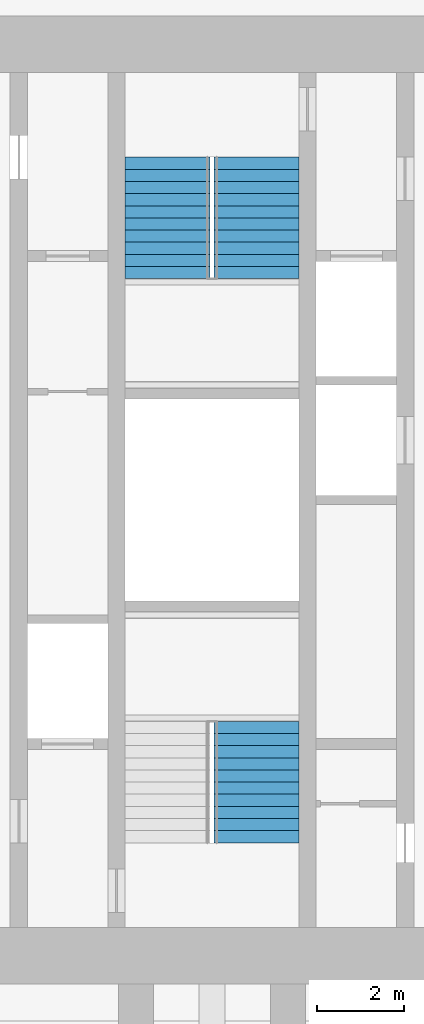
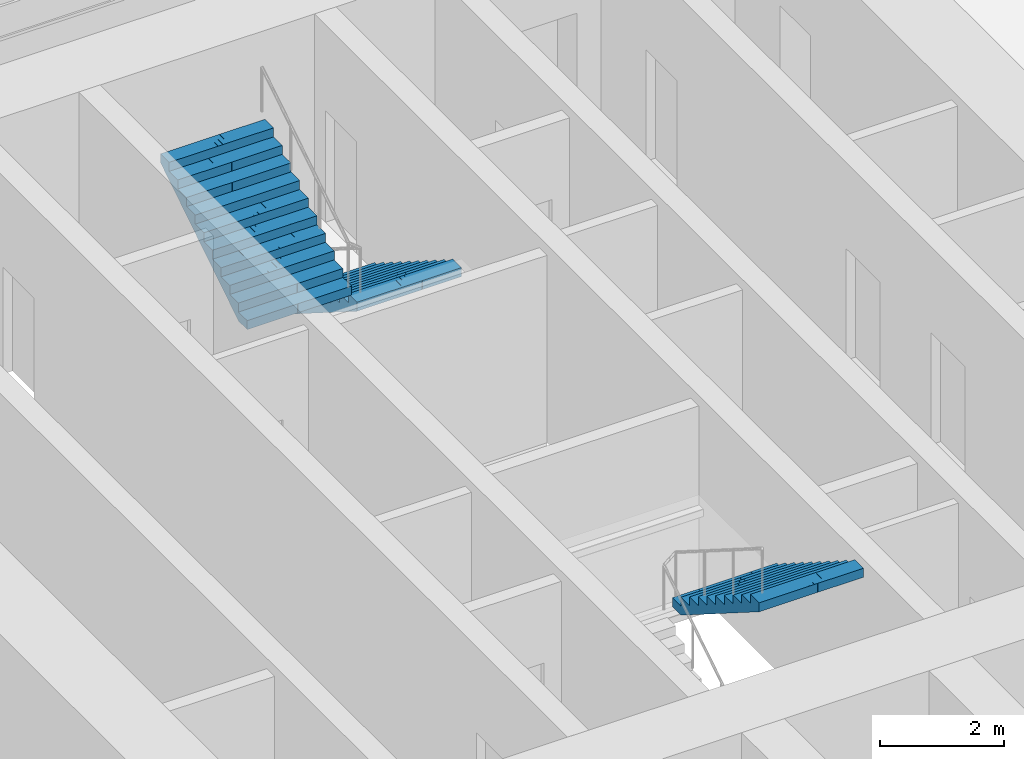
# One storey, part 14 of 15: 3 stair flights, 2 elements without a shape of their own.
"""IFC4 building model written with IfcOpenShell, lengths in metres."""

from ifc_helpers import new_model, si_unit, direction, frame, origin, place, context, subcontext, project, spatial, polyline, outline, extrude, material, type_object, element, aggregate, save


model = new_model("IFC4")

# Units and contexts
model_context = context("Model", 3, precision=1e-05, world=origin(), true_north=direction((0.0, 1.0)))
body_context = subcontext(model_context, "Body", "Model", "MODEL_VIEW")
ifc_project = project(units=[si_unit("LENGTHUNIT", "METRE"), si_unit("AREAUNIT", "SQUARE_METRE"), si_unit("VOLUMEUNIT", "CUBIC_METRE"), si_unit("PLANEANGLEUNIT", "RADIAN"), si_unit("MASSUNIT", "GRAM", prefix="KILO")], contexts=[model_context])

# Site, building, storey
site_placement = place(None, origin())
site = spatial("IfcSite", under=ifc_project, at=site_placement, CompositionType="ELEMENT")
building_placement = place(site_placement, origin())
building = spatial("IfcBuilding", under=site, at=building_placement, Name="Mizan Broadcast Tower", CompositionType="ELEMENT")
storey_placement = place(building_placement, frame((0.0, 0.0, 302.39990234375)))
storey = spatial("IfcBuildingStorey", under=building, at=storey_placement, Name="L72", CompositionType="ELEMENT", Elevation=302.39990234375)

# Stair, stair flight
ifc_material_1 = material(Name="Concrete C40/50", Category="concrete")
stair_type = type_object("IfcStairType", Name="EXIT STAIR", PredefinedType="HALF_TURN_STAIR", material=ifc_material_1)
stair_1_placement = place(storey_placement, origin())
stair_1 = element("IfcStair", 1, at=stair_1_placement, inside=storey, type_object=stair_type, Name="Stair A L72", PredefinedType="HALF_TURN_STAIR")
ifc_material_2 = material(Name="Concrete C40/50", Category="concrete")
stair_flight_type = type_object("IfcStairFlightType", Name="EXIT STAIR FLIGHT", PredefinedType="STRAIGHT", material=ifc_material_2)
stair_flight_1_placement = place(storey_placement, frame((1.02490234375, -5.10009765625, 1.9501953125), z_axis=(0.0, 0.0, 1.0), x_axis=(0.0, -1.0, 0.0)))
stair_flight_1 = element("IfcStairFlight", 2, at=stair_flight_1_placement, type_object=stair_flight_type, Name="A flight 2", NumberOfRisers=11, NumberOfTreads=10, PredefinedType="STRAIGHT", RiserHeight=0.177272727, TreadLength=0.28, context=body_context, shape_type="SweptSolid", body=[
    extrude(outline(polyline([(0.0, 0.0), (0.0, 0.17724609375), (0.280029296875, 0.17724609375), (0.280029296875, 0.3544921875), (0.56005859375, 0.3544921875), (0.56005859375, 0.53173828125), (0.840087890625, 0.53173828125), (0.840087890625, 0.708984375), (1.1201171875, 0.708984375), (1.1201171875, 0.886474609375), (1.39990234375, 0.886474609375), (1.39990234375, 1.063720703125), (1.679931640625, 1.063720703125), (1.679931640625, 1.240966796875), (1.9599609375, 1.240966796875), (1.9599609375, 1.418212890625), (2.239990234375, 1.418212890625), (2.239990234375, 1.595458984375), (2.52001953125, 1.595458984375), (2.52001953125, 1.772705078125), (2.800048828125, 1.772705078125), (2.800048828125, 1.949951171875), (2.800048828125, 1.59521484375), (0.2802734375, 0.0), (0.0, 0.0)])), frame((0.0, 0.97509765625, 0.0), z_axis=(0.0, -1.0, 0.0), x_axis=(1.0, 0.0, 0.0)), (0.0, 0.0, 1.0), 0.4873046875),
    extrude(outline(polyline([(0.0, 0.0), (0.0, 0.17724609375), (0.280029296875, 0.17724609375), (0.280029296875, 0.3544921875), (0.56005859375, 0.3544921875), (0.56005859375, 0.53173828125), (0.840087890625, 0.53173828125), (0.840087890625, 0.708984375), (1.1201171875, 0.708984375), (1.1201171875, 0.886474609375), (1.39990234375, 0.886474609375), (1.39990234375, 1.063720703125), (1.679931640625, 1.063720703125), (1.679931640625, 1.240966796875), (1.9599609375, 1.240966796875), (1.9599609375, 1.418212890625), (2.239990234375, 1.418212890625), (2.239990234375, 1.595458984375), (2.52001953125, 1.595458984375), (2.52001953125, 1.772705078125), (2.800048828125, 1.772705078125), (2.800048828125, 1.949951171875), (2.800048828125, 1.59521484375), (0.2802734375, 0.0), (0.0, 0.0)])), frame((0.0, 0.4873046875, 0.0), z_axis=(0.0, -1.0, 0.0), x_axis=(1.0, 0.0, 0.0)), (0.0, 0.0, 1.0), 0.2431640625),
    extrude(outline(polyline([(0.0, 0.0), (0.0, 0.17724609375), (0.280029296875, 0.17724609375), (0.280029296875, 0.3544921875), (0.56005859375, 0.3544921875), (0.56005859375, 0.53173828125), (0.840087890625, 0.53173828125), (0.840087890625, 0.708984375), (1.1201171875, 0.708984375), (1.1201171875, 0.886474609375), (1.39990234375, 0.886474609375), (1.39990234375, 1.063720703125), (1.679931640625, 1.063720703125), (1.679931640625, 1.240966796875), (1.9599609375, 1.240966796875), (1.9599609375, 1.418212890625), (2.239990234375, 1.418212890625), (2.239990234375, 1.595458984375), (2.52001953125, 1.595458984375), (2.52001953125, 1.772705078125), (2.800048828125, 1.772705078125), (2.800048828125, 1.949951171875), (2.800048828125, 1.59521484375), (0.2802734375, 0.0), (0.0, 0.0)])), frame((0.0, 0.24365234375, 0.0), z_axis=(0.0, -1.0, 0.0), x_axis=(1.0, 0.0, 0.0)), (0.0, 0.0, 1.0), 0.121337890625),
    extrude(outline(polyline([(0.0, 0.0), (0.0, 0.17724609375), (0.280029296875, 0.17724609375), (0.280029296875, 0.3544921875), (0.56005859375, 0.3544921875), (0.56005859375, 0.53173828125), (0.840087890625, 0.53173828125), (0.840087890625, 0.708984375), (1.1201171875, 0.708984375), (1.1201171875, 0.886474609375), (1.39990234375, 0.886474609375), (1.39990234375, 1.063720703125), (1.679931640625, 1.063720703125), (1.679931640625, 1.240966796875), (1.9599609375, 1.240966796875), (1.9599609375, 1.418212890625), (2.239990234375, 1.418212890625), (2.239990234375, 1.595458984375), (2.52001953125, 1.595458984375), (2.52001953125, 1.772705078125), (2.800048828125, 1.772705078125), (2.800048828125, 1.949951171875), (2.800048828125, 1.59521484375), (0.2802734375, 0.0), (0.0, 0.0)])), frame((0.0, 0.121826171875, 0.0), z_axis=(0.0, -1.0, 0.0), x_axis=(1.0, 0.0, 0.0)), (0.0, 0.0, 1.0), 0.060546875),
    extrude(outline(polyline([(0.0, 0.0), (0.0, 0.17724609375), (0.280029296875, 0.17724609375), (0.280029296875, 0.3544921875), (0.56005859375, 0.3544921875), (0.56005859375, 0.53173828125), (0.840087890625, 0.53173828125), (0.840087890625, 0.708984375), (1.1201171875, 0.708984375), (1.1201171875, 0.886474609375), (1.39990234375, 0.886474609375), (1.39990234375, 1.063720703125), (1.679931640625, 1.063720703125), (1.679931640625, 1.240966796875), (1.9599609375, 1.240966796875), (1.9599609375, 1.418212890625), (2.239990234375, 1.418212890625), (2.239990234375, 1.595458984375), (2.52001953125, 1.595458984375), (2.52001953125, 1.772705078125), (2.800048828125, 1.772705078125), (2.800048828125, 1.949951171875), (2.800048828125, 1.59521484375), (0.2802734375, 0.0), (0.0, 0.0)])), frame((0.0, 0.060791015625, 0.0), z_axis=(0.0, -1.0, 0.0), x_axis=(1.0, 0.0, 0.0)), (0.0, 0.0, 1.0), 0.030029296875),
    extrude(outline(polyline([(0.0, 0.0), (0.0, 0.17724609375), (0.280029296875, 0.17724609375), (0.280029296875, 0.3544921875), (0.56005859375, 0.3544921875), (0.56005859375, 0.53173828125), (0.840087890625, 0.53173828125), (0.840087890625, 0.708984375), (1.1201171875, 0.708984375), (1.1201171875, 0.886474609375), (1.39990234375, 0.886474609375), (1.39990234375, 1.063720703125), (1.679931640625, 1.063720703125), (1.679931640625, 1.240966796875), (1.9599609375, 1.240966796875), (1.9599609375, 1.418212890625), (2.239990234375, 1.418212890625), (2.239990234375, 1.595458984375), (2.52001953125, 1.595458984375), (2.52001953125, 1.772705078125), (2.800048828125, 1.772705078125), (2.800048828125, 1.949951171875), (2.800048828125, 1.59521484375), (0.2802734375, 0.0), (0.0, 0.0)])), frame((0.0, 0.0302734375, 0.0), z_axis=(0.0, -1.0, 0.0), x_axis=(1.0, 0.0, 0.0)), (0.0, 0.0, 1.0), 0.060302734375),
    extrude(outline(polyline([(0.0, 0.0), (0.0, 0.17724609375), (0.280029296875, 0.17724609375), (0.280029296875, 0.3544921875), (0.56005859375, 0.3544921875), (0.56005859375, 0.53173828125), (0.840087890625, 0.53173828125), (0.840087890625, 0.708984375), (1.1201171875, 0.708984375), (1.1201171875, 0.886474609375), (1.39990234375, 0.886474609375), (1.39990234375, 1.063720703125), (1.679931640625, 1.063720703125), (1.679931640625, 1.240966796875), (1.9599609375, 1.240966796875), (1.9599609375, 1.418212890625), (2.239990234375, 1.418212890625), (2.239990234375, 1.595458984375), (2.52001953125, 1.595458984375), (2.52001953125, 1.772705078125), (2.800048828125, 1.772705078125), (2.800048828125, 1.949951171875), (2.800048828125, 1.59521484375), (0.2802734375, 0.0), (0.0, 0.0)])), frame((0.0, -0.030517578125, 0.0), z_axis=(0.0, -1.0, 0.0), x_axis=(1.0, 0.0, 0.0)), (0.0, 0.0, 1.0), 0.030029296875),
    extrude(outline(polyline([(0.0, 0.0), (0.0, 0.17724609375), (0.280029296875, 0.17724609375), (0.280029296875, 0.3544921875), (0.56005859375, 0.3544921875), (0.56005859375, 0.53173828125), (0.840087890625, 0.53173828125), (0.840087890625, 0.708984375), (1.1201171875, 0.708984375), (1.1201171875, 0.886474609375), (1.39990234375, 0.886474609375), (1.39990234375, 1.063720703125), (1.679931640625, 1.063720703125), (1.679931640625, 1.240966796875), (1.9599609375, 1.240966796875), (1.9599609375, 1.418212890625), (2.239990234375, 1.418212890625), (2.239990234375, 1.595458984375), (2.52001953125, 1.595458984375), (2.52001953125, 1.772705078125), (2.800048828125, 1.772705078125), (2.800048828125, 1.949951171875), (2.800048828125, 1.59521484375), (0.2802734375, 0.0), (0.0, 0.0)])), frame((0.0, -0.06103515625, 0.0), z_axis=(0.0, -1.0, 0.0), x_axis=(1.0, 0.0, 0.0)), (0.0, 0.0, 1.0), 0.060546875),
    extrude(outline(polyline([(0.0, 0.0), (0.0, 0.17724609375), (0.280029296875, 0.17724609375), (0.280029296875, 0.3544921875), (0.56005859375, 0.3544921875), (0.56005859375, 0.53173828125), (0.840087890625, 0.53173828125), (0.840087890625, 0.708984375), (1.1201171875, 0.708984375), (1.1201171875, 0.886474609375), (1.39990234375, 0.886474609375), (1.39990234375, 1.063720703125), (1.679931640625, 1.063720703125), (1.679931640625, 1.240966796875), (1.9599609375, 1.240966796875), (1.9599609375, 1.418212890625), (2.239990234375, 1.418212890625), (2.239990234375, 1.595458984375), (2.52001953125, 1.595458984375), (2.52001953125, 1.772705078125), (2.800048828125, 1.772705078125), (2.800048828125, 1.949951171875), (2.800048828125, 1.59521484375), (0.2802734375, 0.0), (0.0, 0.0)])), frame((0.0, -0.1220703125, 0.0), z_axis=(0.0, -1.0, 0.0), x_axis=(1.0, 0.0, 0.0)), (0.0, 0.0, 1.0), 0.121337890625),
    extrude(outline(polyline([(0.0, 0.0), (0.0, 0.17724609375), (0.280029296875, 0.17724609375), (0.280029296875, 0.3544921875), (0.56005859375, 0.3544921875), (0.56005859375, 0.53173828125), (0.840087890625, 0.53173828125), (0.840087890625, 0.708984375), (1.1201171875, 0.708984375), (1.1201171875, 0.886474609375), (1.39990234375, 0.886474609375), (1.39990234375, 1.063720703125), (1.679931640625, 1.063720703125), (1.679931640625, 1.240966796875), (1.9599609375, 1.240966796875), (1.9599609375, 1.418212890625), (2.239990234375, 1.418212890625), (2.239990234375, 1.595458984375), (2.52001953125, 1.595458984375), (2.52001953125, 1.772705078125), (2.800048828125, 1.772705078125), (2.800048828125, 1.949951171875), (2.800048828125, 1.59521484375), (0.2802734375, 0.0), (0.0, 0.0)])), frame((0.0, -0.243896484375, 0.0), z_axis=(0.0, -1.0, 0.0), x_axis=(1.0, 0.0, 0.0)), (0.0, 0.0, 1.0), 0.2431640625),
    extrude(outline(polyline([(0.0, 0.0), (0.0, 0.17724609375), (0.280029296875, 0.17724609375), (0.280029296875, 0.3544921875), (0.56005859375, 0.3544921875), (0.56005859375, 0.53173828125), (0.840087890625, 0.53173828125), (0.840087890625, 0.708984375), (1.1201171875, 0.708984375), (1.1201171875, 0.886474609375), (1.39990234375, 0.886474609375), (1.39990234375, 1.063720703125), (1.679931640625, 1.063720703125), (1.679931640625, 1.240966796875), (1.9599609375, 1.240966796875), (1.9599609375, 1.418212890625), (2.239990234375, 1.418212890625), (2.239990234375, 1.595458984375), (2.52001953125, 1.595458984375), (2.52001953125, 1.772705078125), (2.800048828125, 1.772705078125), (2.800048828125, 1.949951171875), (2.800048828125, 1.59521484375), (0.2802734375, 0.0), (0.0, 0.0)])), frame((0.0, -0.487548828125, 0.0), z_axis=(0.0, -1.0, 0.0), x_axis=(1.0, 0.0, 0.0)), (0.0, 0.0, 1.0), 0.4873046875),
])
aggregate(stair_1, [stair_flight_1])

# Stair, stair flights
stair_2_placement = place(storey_placement, origin())
stair_2 = element("IfcStair", 3, at=stair_2_placement, inside=storey, type_object=stair_type, Name="Stair B L72", PredefinedType="HALF_TURN_STAIR")
stair_flight_2_placement = place(storey_placement, frame((1.02490234375, 7.89990234375, 0.0), z_axis=(0.0, 0.0, 1.0), x_axis=(0.0, -1.0, 0.0)))
stair_flight_2 = element("IfcStairFlight", 4, at=stair_flight_2_placement, type_object=stair_flight_type, Name="B flight 1", NumberOfRisers=11, NumberOfTreads=10, PredefinedType="STRAIGHT", RiserHeight=0.177272727, TreadLength=0.28, context=body_context, shape_type="SweptSolid", body=[
    extrude(outline(polyline([(0.0, 0.0), (0.0, 0.17724609375), (0.280029296875, 0.17724609375), (0.280029296875, 0.3544921875), (0.56005859375, 0.3544921875), (0.56005859375, 0.53173828125), (0.840087890625, 0.53173828125), (0.840087890625, 0.708984375), (1.1201171875, 0.708984375), (1.1201171875, 0.886474609375), (1.39990234375, 0.886474609375), (1.39990234375, 1.063720703125), (1.679931640625, 1.063720703125), (1.679931640625, 1.240966796875), (1.9599609375, 1.240966796875), (1.9599609375, 1.418212890625), (2.239990234375, 1.418212890625), (2.239990234375, 1.595458984375), (2.52001953125, 1.595458984375), (2.52001953125, 1.772705078125), (2.800048828125, 1.772705078125), (2.800048828125, 1.949951171875), (2.800048828125, 1.59521484375), (0.2802734375, 0.0), (0.0, 0.0)])), frame((0.0, 0.97509765625, 0.0), z_axis=(0.0, -1.0, 0.0), x_axis=(1.0, 0.0, 0.0)), (0.0, 0.0, 1.0), 0.4873046875),
    extrude(outline(polyline([(0.0, 0.0), (0.0, 0.17724609375), (0.280029296875, 0.17724609375), (0.280029296875, 0.3544921875), (0.56005859375, 0.3544921875), (0.56005859375, 0.53173828125), (0.840087890625, 0.53173828125), (0.840087890625, 0.708984375), (1.1201171875, 0.708984375), (1.1201171875, 0.886474609375), (1.39990234375, 0.886474609375), (1.39990234375, 1.063720703125), (1.679931640625, 1.063720703125), (1.679931640625, 1.240966796875), (1.9599609375, 1.240966796875), (1.9599609375, 1.418212890625), (2.239990234375, 1.418212890625), (2.239990234375, 1.595458984375), (2.52001953125, 1.595458984375), (2.52001953125, 1.772705078125), (2.800048828125, 1.772705078125), (2.800048828125, 1.949951171875), (2.800048828125, 1.59521484375), (0.2802734375, 0.0), (0.0, 0.0)])), frame((0.0, 0.4873046875, 0.0), z_axis=(0.0, -1.0, 0.0), x_axis=(1.0, 0.0, 0.0)), (0.0, 0.0, 1.0), 0.2431640625),
    extrude(outline(polyline([(0.0, 0.0), (0.0, 0.17724609375), (0.280029296875, 0.17724609375), (0.280029296875, 0.3544921875), (0.56005859375, 0.3544921875), (0.56005859375, 0.53173828125), (0.840087890625, 0.53173828125), (0.840087890625, 0.708984375), (1.1201171875, 0.708984375), (1.1201171875, 0.886474609375), (1.39990234375, 0.886474609375), (1.39990234375, 1.063720703125), (1.679931640625, 1.063720703125), (1.679931640625, 1.240966796875), (1.9599609375, 1.240966796875), (1.9599609375, 1.418212890625), (2.239990234375, 1.418212890625), (2.239990234375, 1.595458984375), (2.52001953125, 1.595458984375), (2.52001953125, 1.772705078125), (2.800048828125, 1.772705078125), (2.800048828125, 1.949951171875), (2.800048828125, 1.59521484375), (0.2802734375, 0.0), (0.0, 0.0)])), frame((0.0, 0.24365234375, 0.0), z_axis=(0.0, -1.0, 0.0), x_axis=(1.0, 0.0, 0.0)), (0.0, 0.0, 1.0), 0.121337890625),
    extrude(outline(polyline([(0.0, 0.0), (0.0, 0.17724609375), (0.280029296875, 0.17724609375), (0.280029296875, 0.3544921875), (0.56005859375, 0.3544921875), (0.56005859375, 0.53173828125), (0.840087890625, 0.53173828125), (0.840087890625, 0.708984375), (1.1201171875, 0.708984375), (1.1201171875, 0.886474609375), (1.39990234375, 0.886474609375), (1.39990234375, 1.063720703125), (1.679931640625, 1.063720703125), (1.679931640625, 1.240966796875), (1.9599609375, 1.240966796875), (1.9599609375, 1.418212890625), (2.239990234375, 1.418212890625), (2.239990234375, 1.595458984375), (2.52001953125, 1.595458984375), (2.52001953125, 1.772705078125), (2.800048828125, 1.772705078125), (2.800048828125, 1.949951171875), (2.800048828125, 1.59521484375), (0.2802734375, 0.0), (0.0, 0.0)])), frame((0.0, 0.121826171875, 0.0), z_axis=(0.0, -1.0, 0.0), x_axis=(1.0, 0.0, 0.0)), (0.0, 0.0, 1.0), 0.060546875),
    extrude(outline(polyline([(0.0, 0.0), (0.0, 0.17724609375), (0.280029296875, 0.17724609375), (0.280029296875, 0.3544921875), (0.56005859375, 0.3544921875), (0.56005859375, 0.53173828125), (0.840087890625, 0.53173828125), (0.840087890625, 0.708984375), (1.1201171875, 0.708984375), (1.1201171875, 0.886474609375), (1.39990234375, 0.886474609375), (1.39990234375, 1.063720703125), (1.679931640625, 1.063720703125), (1.679931640625, 1.240966796875), (1.9599609375, 1.240966796875), (1.9599609375, 1.418212890625), (2.239990234375, 1.418212890625), (2.239990234375, 1.595458984375), (2.52001953125, 1.595458984375), (2.52001953125, 1.772705078125), (2.800048828125, 1.772705078125), (2.800048828125, 1.949951171875), (2.800048828125, 1.59521484375), (0.2802734375, 0.0), (0.0, 0.0)])), frame((0.0, 0.060791015625, 0.0), z_axis=(0.0, -1.0, 0.0), x_axis=(1.0, 0.0, 0.0)), (0.0, 0.0, 1.0), 0.030029296875),
    extrude(outline(polyline([(0.0, 0.0), (0.0, 0.17724609375), (0.280029296875, 0.17724609375), (0.280029296875, 0.3544921875), (0.56005859375, 0.3544921875), (0.56005859375, 0.53173828125), (0.840087890625, 0.53173828125), (0.840087890625, 0.708984375), (1.1201171875, 0.708984375), (1.1201171875, 0.886474609375), (1.39990234375, 0.886474609375), (1.39990234375, 1.063720703125), (1.679931640625, 1.063720703125), (1.679931640625, 1.240966796875), (1.9599609375, 1.240966796875), (1.9599609375, 1.418212890625), (2.239990234375, 1.418212890625), (2.239990234375, 1.595458984375), (2.52001953125, 1.595458984375), (2.52001953125, 1.772705078125), (2.800048828125, 1.772705078125), (2.800048828125, 1.949951171875), (2.800048828125, 1.59521484375), (0.2802734375, 0.0), (0.0, 0.0)])), frame((0.0, 0.0302734375, 0.0), z_axis=(0.0, -1.0, 0.0), x_axis=(1.0, 0.0, 0.0)), (0.0, 0.0, 1.0), 0.060302734375),
    extrude(outline(polyline([(0.0, 0.0), (0.0, 0.17724609375), (0.280029296875, 0.17724609375), (0.280029296875, 0.3544921875), (0.56005859375, 0.3544921875), (0.56005859375, 0.53173828125), (0.840087890625, 0.53173828125), (0.840087890625, 0.708984375), (1.1201171875, 0.708984375), (1.1201171875, 0.886474609375), (1.39990234375, 0.886474609375), (1.39990234375, 1.063720703125), (1.679931640625, 1.063720703125), (1.679931640625, 1.240966796875), (1.9599609375, 1.240966796875), (1.9599609375, 1.418212890625), (2.239990234375, 1.418212890625), (2.239990234375, 1.595458984375), (2.52001953125, 1.595458984375), (2.52001953125, 1.772705078125), (2.800048828125, 1.772705078125), (2.800048828125, 1.949951171875), (2.800048828125, 1.59521484375), (0.2802734375, 0.0), (0.0, 0.0)])), frame((0.0, -0.030517578125, 0.0), z_axis=(0.0, -1.0, 0.0), x_axis=(1.0, 0.0, 0.0)), (0.0, 0.0, 1.0), 0.030029296875),
    extrude(outline(polyline([(0.0, 0.0), (0.0, 0.17724609375), (0.280029296875, 0.17724609375), (0.280029296875, 0.3544921875), (0.56005859375, 0.3544921875), (0.56005859375, 0.53173828125), (0.840087890625, 0.53173828125), (0.840087890625, 0.708984375), (1.1201171875, 0.708984375), (1.1201171875, 0.886474609375), (1.39990234375, 0.886474609375), (1.39990234375, 1.063720703125), (1.679931640625, 1.063720703125), (1.679931640625, 1.240966796875), (1.9599609375, 1.240966796875), (1.9599609375, 1.418212890625), (2.239990234375, 1.418212890625), (2.239990234375, 1.595458984375), (2.52001953125, 1.595458984375), (2.52001953125, 1.772705078125), (2.800048828125, 1.772705078125), (2.800048828125, 1.949951171875), (2.800048828125, 1.59521484375), (0.2802734375, 0.0), (0.0, 0.0)])), frame((0.0, -0.06103515625, 0.0), z_axis=(0.0, -1.0, 0.0), x_axis=(1.0, 0.0, 0.0)), (0.0, 0.0, 1.0), 0.060546875),
    extrude(outline(polyline([(0.0, 0.0), (0.0, 0.17724609375), (0.280029296875, 0.17724609375), (0.280029296875, 0.3544921875), (0.56005859375, 0.3544921875), (0.56005859375, 0.53173828125), (0.840087890625, 0.53173828125), (0.840087890625, 0.708984375), (1.1201171875, 0.708984375), (1.1201171875, 0.886474609375), (1.39990234375, 0.886474609375), (1.39990234375, 1.063720703125), (1.679931640625, 1.063720703125), (1.679931640625, 1.240966796875), (1.9599609375, 1.240966796875), (1.9599609375, 1.418212890625), (2.239990234375, 1.418212890625), (2.239990234375, 1.595458984375), (2.52001953125, 1.595458984375), (2.52001953125, 1.772705078125), (2.800048828125, 1.772705078125), (2.800048828125, 1.949951171875), (2.800048828125, 1.59521484375), (0.2802734375, 0.0), (0.0, 0.0)])), frame((0.0, -0.1220703125, 0.0), z_axis=(0.0, -1.0, 0.0), x_axis=(1.0, 0.0, 0.0)), (0.0, 0.0, 1.0), 0.121337890625),
    extrude(outline(polyline([(0.0, 0.0), (0.0, 0.17724609375), (0.280029296875, 0.17724609375), (0.280029296875, 0.3544921875), (0.56005859375, 0.3544921875), (0.56005859375, 0.53173828125), (0.840087890625, 0.53173828125), (0.840087890625, 0.708984375), (1.1201171875, 0.708984375), (1.1201171875, 0.886474609375), (1.39990234375, 0.886474609375), (1.39990234375, 1.063720703125), (1.679931640625, 1.063720703125), (1.679931640625, 1.240966796875), (1.9599609375, 1.240966796875), (1.9599609375, 1.418212890625), (2.239990234375, 1.418212890625), (2.239990234375, 1.595458984375), (2.52001953125, 1.595458984375), (2.52001953125, 1.772705078125), (2.800048828125, 1.772705078125), (2.800048828125, 1.949951171875), (2.800048828125, 1.59521484375), (0.2802734375, 0.0), (0.0, 0.0)])), frame((0.0, -0.243896484375, 0.0), z_axis=(0.0, -1.0, 0.0), x_axis=(1.0, 0.0, 0.0)), (0.0, 0.0, 1.0), 0.2431640625),
    extrude(outline(polyline([(0.0, 0.0), (0.0, 0.17724609375), (0.280029296875, 0.17724609375), (0.280029296875, 0.3544921875), (0.56005859375, 0.3544921875), (0.56005859375, 0.53173828125), (0.840087890625, 0.53173828125), (0.840087890625, 0.708984375), (1.1201171875, 0.708984375), (1.1201171875, 0.886474609375), (1.39990234375, 0.886474609375), (1.39990234375, 1.063720703125), (1.679931640625, 1.063720703125), (1.679931640625, 1.240966796875), (1.9599609375, 1.240966796875), (1.9599609375, 1.418212890625), (2.239990234375, 1.418212890625), (2.239990234375, 1.595458984375), (2.52001953125, 1.595458984375), (2.52001953125, 1.772705078125), (2.800048828125, 1.772705078125), (2.800048828125, 1.949951171875), (2.800048828125, 1.59521484375), (0.2802734375, 0.0), (0.0, 0.0)])), frame((0.0, -0.487548828125, 0.0), z_axis=(0.0, -1.0, 0.0), x_axis=(1.0, 0.0, 0.0)), (0.0, 0.0, 1.0), 0.4873046875),
])
stair_flight_3_placement = place(storey_placement, frame((-1.02490234375, 5.10009765625, 1.9501953125), z_axis=(0.0, 0.0, 1.0), x_axis=(0.0, 1.0, 0.0)))
stair_flight_3 = element("IfcStairFlight", 5, at=stair_flight_3_placement, type_object=stair_flight_type, Name="B flight 2", NumberOfRisers=11, NumberOfTreads=10, PredefinedType="STRAIGHT", RiserHeight=0.177272727, TreadLength=0.28, context=body_context, shape_type="SweptSolid", body=[
    extrude(outline(polyline([(0.0, 0.0), (0.0, 0.17724609375), (0.280029296875, 0.17724609375), (0.280029296875, 0.3544921875), (0.56005859375, 0.3544921875), (0.56005859375, 0.53173828125), (0.840087890625, 0.53173828125), (0.840087890625, 0.708984375), (1.1201171875, 0.708984375), (1.1201171875, 0.886474609375), (1.39990234375, 0.886474609375), (1.39990234375, 1.063720703125), (1.679931640625, 1.063720703125), (1.679931640625, 1.240966796875), (1.9599609375, 1.240966796875), (1.9599609375, 1.418212890625), (2.239990234375, 1.418212890625), (2.239990234375, 1.595458984375), (2.52001953125, 1.595458984375), (2.52001953125, 1.772705078125), (2.800048828125, 1.772705078125), (2.800048828125, 1.949951171875), (2.800048828125, 1.59521484375), (0.2802734375, 0.0), (0.0, 0.0)])), frame((0.0, 0.97509765625, 0.0), z_axis=(0.0, -1.0, 0.0), x_axis=(1.0, 0.0, 0.0)), (0.0, 0.0, 1.0), 0.4873046875),
    extrude(outline(polyline([(0.0, 0.0), (0.0, 0.17724609375), (0.280029296875, 0.17724609375), (0.280029296875, 0.3544921875), (0.56005859375, 0.3544921875), (0.56005859375, 0.53173828125), (0.840087890625, 0.53173828125), (0.840087890625, 0.708984375), (1.1201171875, 0.708984375), (1.1201171875, 0.886474609375), (1.39990234375, 0.886474609375), (1.39990234375, 1.063720703125), (1.679931640625, 1.063720703125), (1.679931640625, 1.240966796875), (1.9599609375, 1.240966796875), (1.9599609375, 1.418212890625), (2.239990234375, 1.418212890625), (2.239990234375, 1.595458984375), (2.52001953125, 1.595458984375), (2.52001953125, 1.772705078125), (2.800048828125, 1.772705078125), (2.800048828125, 1.949951171875), (2.800048828125, 1.59521484375), (0.2802734375, 0.0), (0.0, 0.0)])), frame((0.0, 0.4873046875, 0.0), z_axis=(0.0, -1.0, 0.0), x_axis=(1.0, 0.0, 0.0)), (0.0, 0.0, 1.0), 0.2431640625),
    extrude(outline(polyline([(0.0, 0.0), (0.0, 0.17724609375), (0.280029296875, 0.17724609375), (0.280029296875, 0.3544921875), (0.56005859375, 0.3544921875), (0.56005859375, 0.53173828125), (0.840087890625, 0.53173828125), (0.840087890625, 0.708984375), (1.1201171875, 0.708984375), (1.1201171875, 0.886474609375), (1.39990234375, 0.886474609375), (1.39990234375, 1.063720703125), (1.679931640625, 1.063720703125), (1.679931640625, 1.240966796875), (1.9599609375, 1.240966796875), (1.9599609375, 1.418212890625), (2.239990234375, 1.418212890625), (2.239990234375, 1.595458984375), (2.52001953125, 1.595458984375), (2.52001953125, 1.772705078125), (2.800048828125, 1.772705078125), (2.800048828125, 1.949951171875), (2.800048828125, 1.59521484375), (0.2802734375, 0.0), (0.0, 0.0)])), frame((0.0, 0.24365234375, 0.0), z_axis=(0.0, -1.0, 0.0), x_axis=(1.0, 0.0, 0.0)), (0.0, 0.0, 1.0), 0.121337890625),
    extrude(outline(polyline([(0.0, 0.0), (0.0, 0.17724609375), (0.280029296875, 0.17724609375), (0.280029296875, 0.3544921875), (0.56005859375, 0.3544921875), (0.56005859375, 0.53173828125), (0.840087890625, 0.53173828125), (0.840087890625, 0.708984375), (1.1201171875, 0.708984375), (1.1201171875, 0.886474609375), (1.39990234375, 0.886474609375), (1.39990234375, 1.063720703125), (1.679931640625, 1.063720703125), (1.679931640625, 1.240966796875), (1.9599609375, 1.240966796875), (1.9599609375, 1.418212890625), (2.239990234375, 1.418212890625), (2.239990234375, 1.595458984375), (2.52001953125, 1.595458984375), (2.52001953125, 1.772705078125), (2.800048828125, 1.772705078125), (2.800048828125, 1.949951171875), (2.800048828125, 1.59521484375), (0.2802734375, 0.0), (0.0, 0.0)])), frame((0.0, 0.121826171875, 0.0), z_axis=(0.0, -1.0, 0.0), x_axis=(1.0, 0.0, 0.0)), (0.0, 0.0, 1.0), 0.060546875),
    extrude(outline(polyline([(0.0, 0.0), (0.0, 0.17724609375), (0.280029296875, 0.17724609375), (0.280029296875, 0.3544921875), (0.56005859375, 0.3544921875), (0.56005859375, 0.53173828125), (0.840087890625, 0.53173828125), (0.840087890625, 0.708984375), (1.1201171875, 0.708984375), (1.1201171875, 0.886474609375), (1.39990234375, 0.886474609375), (1.39990234375, 1.063720703125), (1.679931640625, 1.063720703125), (1.679931640625, 1.240966796875), (1.9599609375, 1.240966796875), (1.9599609375, 1.418212890625), (2.239990234375, 1.418212890625), (2.239990234375, 1.595458984375), (2.52001953125, 1.595458984375), (2.52001953125, 1.772705078125), (2.800048828125, 1.772705078125), (2.800048828125, 1.949951171875), (2.800048828125, 1.59521484375), (0.2802734375, 0.0), (0.0, 0.0)])), frame((0.0, 0.060791015625, 0.0), z_axis=(0.0, -1.0, 0.0), x_axis=(1.0, 0.0, 0.0)), (0.0, 0.0, 1.0), 0.030029296875),
    extrude(outline(polyline([(0.0, 0.0), (0.0, 0.17724609375), (0.280029296875, 0.17724609375), (0.280029296875, 0.3544921875), (0.56005859375, 0.3544921875), (0.56005859375, 0.53173828125), (0.840087890625, 0.53173828125), (0.840087890625, 0.708984375), (1.1201171875, 0.708984375), (1.1201171875, 0.886474609375), (1.39990234375, 0.886474609375), (1.39990234375, 1.063720703125), (1.679931640625, 1.063720703125), (1.679931640625, 1.240966796875), (1.9599609375, 1.240966796875), (1.9599609375, 1.418212890625), (2.239990234375, 1.418212890625), (2.239990234375, 1.595458984375), (2.52001953125, 1.595458984375), (2.52001953125, 1.772705078125), (2.800048828125, 1.772705078125), (2.800048828125, 1.949951171875), (2.800048828125, 1.59521484375), (0.2802734375, 0.0), (0.0, 0.0)])), frame((0.0, 0.0302734375, 0.0), z_axis=(0.0, -1.0, 0.0), x_axis=(1.0, 0.0, 0.0)), (0.0, 0.0, 1.0), 0.060302734375),
    extrude(outline(polyline([(0.0, 0.0), (0.0, 0.17724609375), (0.280029296875, 0.17724609375), (0.280029296875, 0.3544921875), (0.56005859375, 0.3544921875), (0.56005859375, 0.53173828125), (0.840087890625, 0.53173828125), (0.840087890625, 0.708984375), (1.1201171875, 0.708984375), (1.1201171875, 0.886474609375), (1.39990234375, 0.886474609375), (1.39990234375, 1.063720703125), (1.679931640625, 1.063720703125), (1.679931640625, 1.240966796875), (1.9599609375, 1.240966796875), (1.9599609375, 1.418212890625), (2.239990234375, 1.418212890625), (2.239990234375, 1.595458984375), (2.52001953125, 1.595458984375), (2.52001953125, 1.772705078125), (2.800048828125, 1.772705078125), (2.800048828125, 1.949951171875), (2.800048828125, 1.59521484375), (0.2802734375, 0.0), (0.0, 0.0)])), frame((0.0, -0.030517578125, 0.0), z_axis=(0.0, -1.0, 0.0), x_axis=(1.0, 0.0, 0.0)), (0.0, 0.0, 1.0), 0.030029296875),
    extrude(outline(polyline([(0.0, 0.0), (0.0, 0.17724609375), (0.280029296875, 0.17724609375), (0.280029296875, 0.3544921875), (0.56005859375, 0.3544921875), (0.56005859375, 0.53173828125), (0.840087890625, 0.53173828125), (0.840087890625, 0.708984375), (1.1201171875, 0.708984375), (1.1201171875, 0.886474609375), (1.39990234375, 0.886474609375), (1.39990234375, 1.063720703125), (1.679931640625, 1.063720703125), (1.679931640625, 1.240966796875), (1.9599609375, 1.240966796875), (1.9599609375, 1.418212890625), (2.239990234375, 1.418212890625), (2.239990234375, 1.595458984375), (2.52001953125, 1.595458984375), (2.52001953125, 1.772705078125), (2.800048828125, 1.772705078125), (2.800048828125, 1.949951171875), (2.800048828125, 1.59521484375), (0.2802734375, 0.0), (0.0, 0.0)])), frame((0.0, -0.06103515625, 0.0), z_axis=(0.0, -1.0, 0.0), x_axis=(1.0, 0.0, 0.0)), (0.0, 0.0, 1.0), 0.060546875),
    extrude(outline(polyline([(0.0, 0.0), (0.0, 0.17724609375), (0.280029296875, 0.17724609375), (0.280029296875, 0.3544921875), (0.56005859375, 0.3544921875), (0.56005859375, 0.53173828125), (0.840087890625, 0.53173828125), (0.840087890625, 0.708984375), (1.1201171875, 0.708984375), (1.1201171875, 0.886474609375), (1.39990234375, 0.886474609375), (1.39990234375, 1.063720703125), (1.679931640625, 1.063720703125), (1.679931640625, 1.240966796875), (1.9599609375, 1.240966796875), (1.9599609375, 1.418212890625), (2.239990234375, 1.418212890625), (2.239990234375, 1.595458984375), (2.52001953125, 1.595458984375), (2.52001953125, 1.772705078125), (2.800048828125, 1.772705078125), (2.800048828125, 1.949951171875), (2.800048828125, 1.59521484375), (0.2802734375, 0.0), (0.0, 0.0)])), frame((0.0, -0.1220703125, 0.0), z_axis=(0.0, -1.0, 0.0), x_axis=(1.0, 0.0, 0.0)), (0.0, 0.0, 1.0), 0.121337890625),
    extrude(outline(polyline([(0.0, 0.0), (0.0, 0.17724609375), (0.280029296875, 0.17724609375), (0.280029296875, 0.3544921875), (0.56005859375, 0.3544921875), (0.56005859375, 0.53173828125), (0.840087890625, 0.53173828125), (0.840087890625, 0.708984375), (1.1201171875, 0.708984375), (1.1201171875, 0.886474609375), (1.39990234375, 0.886474609375), (1.39990234375, 1.063720703125), (1.679931640625, 1.063720703125), (1.679931640625, 1.240966796875), (1.9599609375, 1.240966796875), (1.9599609375, 1.418212890625), (2.239990234375, 1.418212890625), (2.239990234375, 1.595458984375), (2.52001953125, 1.595458984375), (2.52001953125, 1.772705078125), (2.800048828125, 1.772705078125), (2.800048828125, 1.949951171875), (2.800048828125, 1.59521484375), (0.2802734375, 0.0), (0.0, 0.0)])), frame((0.0, -0.243896484375, 0.0), z_axis=(0.0, -1.0, 0.0), x_axis=(1.0, 0.0, 0.0)), (0.0, 0.0, 1.0), 0.2431640625),
    extrude(outline(polyline([(0.0, 0.0), (0.0, 0.17724609375), (0.280029296875, 0.17724609375), (0.280029296875, 0.3544921875), (0.56005859375, 0.3544921875), (0.56005859375, 0.53173828125), (0.840087890625, 0.53173828125), (0.840087890625, 0.708984375), (1.1201171875, 0.708984375), (1.1201171875, 0.886474609375), (1.39990234375, 0.886474609375), (1.39990234375, 1.063720703125), (1.679931640625, 1.063720703125), (1.679931640625, 1.240966796875), (1.9599609375, 1.240966796875), (1.9599609375, 1.418212890625), (2.239990234375, 1.418212890625), (2.239990234375, 1.595458984375), (2.52001953125, 1.595458984375), (2.52001953125, 1.772705078125), (2.800048828125, 1.772705078125), (2.800048828125, 1.949951171875), (2.800048828125, 1.59521484375), (0.2802734375, 0.0), (0.0, 0.0)])), frame((0.0, -0.487548828125, 0.0), z_axis=(0.0, -1.0, 0.0), x_axis=(1.0, 0.0, 0.0)), (0.0, 0.0, 1.0), 0.4873046875),
])
aggregate(stair_2, [stair_flight_2, stair_flight_3])

save(model, "model.ifc")
